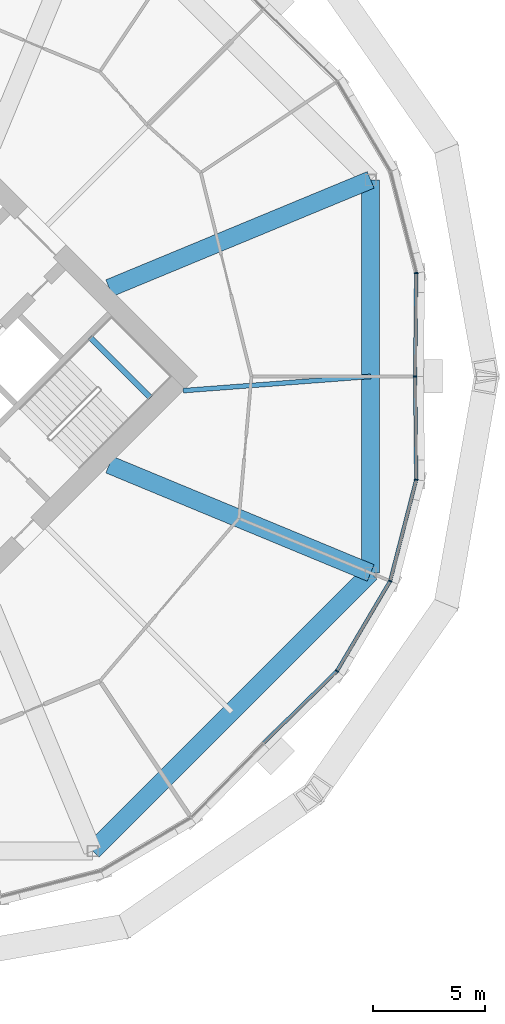
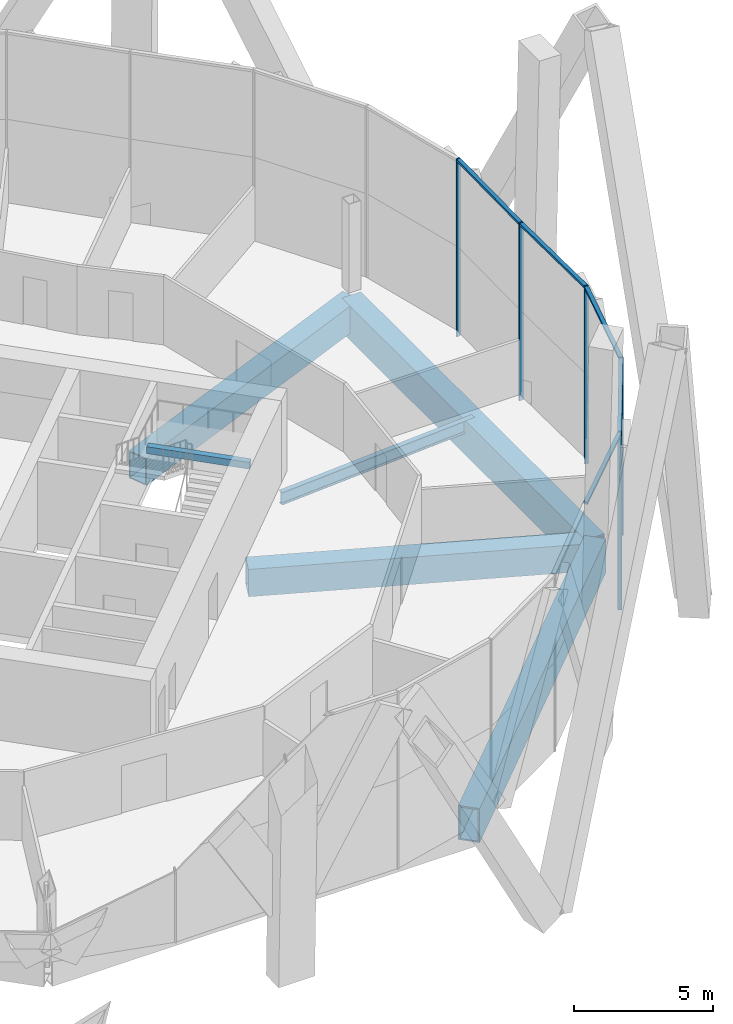
# One storey, part 13 of 31: 10 members, 6 beams, 2 elements without a shape of their own.
"""IFC4 building model written with IfcOpenShell, lengths in metres."""

from ifc_helpers import new_model, si_unit, direction, frame, origin, origin_2d, place, context, subcontext, project, spatial, rectangle, hollow_rectangle, i_section, extrude, material, material_profile, profile_set, type_object, element, aggregate, save


model = new_model("IFC4")

# Units and contexts
model_context = context("Model", 3, precision=1e-05, world=origin(), true_north=direction((0.0, 1.0)))
body_context = subcontext(model_context, "Body", "Model", "MODEL_VIEW")
ifc_project = project(units=[si_unit("LENGTHUNIT", "METRE"), si_unit("AREAUNIT", "SQUARE_METRE"), si_unit("VOLUMEUNIT", "CUBIC_METRE"), si_unit("PLANEANGLEUNIT", "RADIAN"), si_unit("MASSUNIT", "GRAM", prefix="KILO")], contexts=[model_context])

# Site, building, storey
site_placement = place(None, origin())
site = spatial("IfcSite", under=ifc_project, at=site_placement, CompositionType="ELEMENT")
building_placement = place(site_placement, origin())
building = spatial("IfcBuilding", under=site, at=building_placement, Name="Ogive Gate Towers", CompositionType="ELEMENT")
storey_placement = place(building_placement, frame((0.0, 0.0, 55.800048828125)))
storey = spatial("IfcBuildingStorey", under=building, at=storey_placement, Name="L12", CompositionType="ELEMENT", Elevation=55.800048828125)

# Beams
ifc_material_1 = material(Name="Steel SM460", Category="steel")
ifc_material_profile_1 = material_profile(ifc_material_1, hollow_rectangle(XDim=0.800048828125, YDim=1.5, WallThickness=0.06005859375, at=origin_2d()), Name="BX 1500x800x60")
ifc_profile_set_1 = profile_set([ifc_material_profile_1], Name="Steel SM460")
beam_type_1 = type_object("IfcBeamType", Name="Edge girder BX 1500x800x60", PredefinedType="BEAM", material=ifc_profile_set_1)
for number, where, z_axis, x_axis, name in (
    (1, (44.763427734375, -21.15673828125, -1.050048828125), (0.707106781187, 0.707106781187, 0.0), (-0.707106781187, 0.707106781187, 0.0), "T2/L12/SBM019"),
    (2, (57.15673828125, -8.763427734375, -1.050048828125), (0.0, 1.0, 0.0), (-1.0, 0.0, 0.0), "T2/L12/SBM020"),
):
    element("IfcBeam", number, at=place(storey_placement, frame(where, z_axis=z_axis, x_axis=x_axis)), inside=storey, type_object=beam_type_1, Name=name, PredefinedType="BEAM", context=body_context, shape_type="SweptSolid", body=[
        extrude(hollow_rectangle(XDim=0.800048828125, YDim=1.5, WallThickness=0.06005859375, at=origin_2d()), origin(), (0.0, 0.0, 1.0), 17.52685546875),
    ])
ifc_material_2 = material(Name="Concrete C40/50", Category="concrete")
ifc_material_profile_2 = material_profile(ifc_material_2, rectangle(XDim=0.25, YDim=0.300048828125, at=origin_2d()), Name="RC 250x300")
ifc_profile_set_2 = profile_set([ifc_material_profile_2], Name="Concrete C40/50")
beam_type_2 = type_object("IfcBeamType", Name="Landing bearer RC 250x300", PredefinedType="BEAM", material=ifc_profile_set_2)
beam_1_placement = place(storey_placement, frame((47.349609375, -0.9541015625, 1.599853515625), z_axis=(-0.707106781187, 0.707106781187, 0.0), x_axis=(-0.707106781187, -0.707106781187, 0.0)))
element("IfcBeam", 3, at=beam_1_placement, inside=storey, type_object=beam_type_2, Name="T2 L12 stair 2 landing bearer 1", PredefinedType="BEAM", context=body_context, shape_type="SweptSolid", body=[
    extrude(rectangle(XDim=0.25, YDim=0.300048828125, at=origin_2d()), origin(), (0.0, 0.0, 1.0), 3.824951171875),
])
ifc_material_3 = material(Name="Steel SM355", Category="steel")
ifc_material_profile_3 = material_profile(ifc_material_3, i_section(OverallWidth=0.2099609375, OverallDepth=0.550048828125, WebThickness=0.010986328125, FlangeThickness=0.01708984375, FilletRadius=0.02392578125, at=origin_2d()), Name="IPE 550")
ifc_profile_set_3 = profile_set([ifc_material_profile_3], Name="Steel SM355")
beam_type_3 = type_object("IfcBeamType", Name="Radial floor beam IPE 550", PredefinedType="BEAM", material=ifc_profile_set_3)
beam_2_placement = place(storey_placement, frame((48.798583984375, -0.636474609375, -0.574951171875), z_axis=(0.997113127526, 0.075930303007, 0.0), x_axis=(-0.075930303007, 0.997113127526, 0.0)))
element("IfcBeam", 4, at=beam_2_placement, inside=storey, type_object=beam_type_3, Name="T2/L12/SBM008", PredefinedType="BEAM", context=body_context, shape_type="SweptSolid", body=[
    extrude(i_section(OverallWidth=0.2099609375, OverallDepth=0.550048828125, WebThickness=0.010986328125, FlangeThickness=0.01708984375, FilletRadius=0.02392578125, at=origin_2d()), origin(), (0.0, 0.0, 1.0), 8.38232421875),
])

# Curtain wall, members
ifc_material_4 = material(Name="Pale metal aluminium", Category="aluminium")
curtain_wall_type = type_object("IfcCurtainWallType", Name="Tower unitised wall, low zone", PredefinedType="NOTDEFINED", material=ifc_material_4)
curtain_wall_1_placement = place(storey_placement, origin())
curtain_wall_1 = element("IfcCurtainWall", 5, at=curtain_wall_1_placement, inside=storey, type_object=curtain_wall_type, Name="CW1 T2 ECW01", PredefinedType="NOTDEFINED")
ifc_material_profile_4 = material_profile(ifc_material_4, rectangle(XDim=0.159912109375, YDim=0.06005859375, at=origin_2d()), Name="60 x 160 aluminium box")
ifc_profile_set_4 = profile_set([ifc_material_profile_4], Name="Pale metal aluminium")
member_type_1 = type_object("IfcMemberType", Name="Tower unitised wall, low zone mullion 60 x 160", PredefinedType="MULLION", material=ifc_profile_set_4)
member_1_placement = place(storey_placement, frame((59.139892578125, 0.000244140625, -0.300048828125), z_axis=(0.0, 0.0, 1.0), x_axis=(0.999947161375, -0.010279808233, 0.0)))
member_1 = element("IfcMember", 6, at=member_1_placement, type_object=member_type_1, Name="CW1 mullion", PredefinedType="MULLION", context=body_context, shape_type="SweptSolid", body=[
    extrude(rectangle(XDim=0.159912109375, YDim=0.06005859375, at=origin_2d()), origin(), (0.0, 0.0, 1.0), 7.800048828125),
])
member_2_placement = place(storey_placement, frame((59.1875, 4.606201171875, -0.300048828125), z_axis=(0.0, 0.0, 1.0), x_axis=(0.992727957326, 0.120379411626, 0.0)))
member_2 = element("IfcMember", 7, at=member_2_placement, type_object=member_type_1, Name="CW1 mullion", PredefinedType="MULLION", context=body_context, shape_type="SweptSolid", body=[
    extrude(rectangle(XDim=0.159912109375, YDim=0.06005859375, at=origin_2d()), origin(), (0.0, 0.0, 1.0), 7.800048828125),
])

curtain_wall_2_placement = place(storey_placement, origin())
curtain_wall_2 = element("IfcCurtainWall", 8, at=curtain_wall_2_placement, inside=storey, type_object=curtain_wall_type, Name="CW1 T2 ECW08", PredefinedType="NOTDEFINED")
member_3_placement = place(storey_placement, frame((55.653076171875, -13.13916015625, -0.300048828125), z_axis=(0.0, 0.0, 1.0), x_axis=(0.787085768775, -0.616843572223, 0.0)))
member_3 = element("IfcMember", 9, at=member_3_placement, type_object=member_type_1, Name="CW1 mullion", PredefinedType="MULLION", context=body_context, shape_type="SweptSolid", body=[
    extrude(rectangle(XDim=0.159912109375, YDim=0.06005859375, at=origin_2d()), origin(), (0.0, 0.0, 1.0), 7.800048828125),
])
member_4_placement = place(storey_placement, frame((58.026123046875, -9.12353515625, -0.300048828125), z_axis=(0.0, 0.0, 1.0), x_axis=(0.923879532511, -0.382683432365, 0.0)))
member_4 = element("IfcMember", 10, at=member_4_placement, type_object=member_type_1, Name="CW1 mullion", PredefinedType="MULLION", context=body_context, shape_type="SweptSolid", body=[
    extrude(rectangle(XDim=0.159912109375, YDim=0.06005859375, at=origin_2d()), origin(), (0.0, 0.0, 1.0), 7.800048828125),
])
member_5_placement = place(storey_placement, frame((59.1875, -4.606201171875, -0.300048828125), z_axis=(0.0, 0.0, 1.0), x_axis=(0.992727957326, -0.120379411626, 0.0)))
member_5 = element("IfcMember", 11, at=member_5_placement, type_object=member_type_1, Name="CW1 mullion", PredefinedType="MULLION", context=body_context, shape_type="SweptSolid", body=[
    extrude(rectangle(XDim=0.159912109375, YDim=0.06005859375, at=origin_2d()), origin(), (0.0, 0.0, 1.0), 7.800048828125),
])

# Member
ifc_material_profile_5 = material_profile(ifc_material_4, rectangle(XDim=0.159912109375, YDim=0.10009765625, at=origin_2d()), Name="100 x 160 aluminium box")
ifc_profile_set_5 = profile_set([ifc_material_profile_5], Name="Pale metal aluminium")
member_type_2 = type_object("IfcMemberType", Name="Tower unitised wall, low zone transom 100 x 160", PredefinedType="USERDEFINED", material=ifc_profile_set_5)
member_6_placement = place(storey_placement, frame((59.140380859375, 0.0302734375, 7.449951171875), z_axis=(0.010251742504, 0.999947449507, 0.0), x_axis=(-0.999947449507, 0.010251742504, 0.0)))
member_6 = element("IfcMember", 12, at=member_6_placement, type_object=member_type_2, Name="CW1 transom", ObjectType="TRANSOM", PredefinedType="USERDEFINED", context=body_context, shape_type="SweptSolid", body=[
    extrude(rectangle(XDim=0.159912109375, YDim=0.10009765625, at=origin_2d()), origin(), (0.0, 0.0, 1.0), 4.548583984375),
])

aggregate(curtain_wall_1, [member_1, member_2, member_6])

member_7_placement = place(storey_placement, frame((52.384033203125, -16.34130859375, 7.449951171875), z_axis=(0.714342153972, 0.699796604064, 0.0), x_axis=(-0.699796604064, 0.714342153972, 0.0)))
member_7 = element("IfcMember", 13, at=member_7_placement, type_object=member_type_2, Name="CW1 transom", ObjectType="TRANSOM", PredefinedType="USERDEFINED", context=body_context, shape_type="SweptSolid", body=[
    extrude(rectangle(XDim=0.159912109375, YDim=0.10009765625, at=origin_2d()), origin(), (0.0, 0.0, 1.0), 4.548583984375),
])

member_8_placement = place(storey_placement, frame((55.666748046875, -13.115478515625, 7.449951171875), z_axis=(0.508798898164, 0.860885405398, 0.0), x_axis=(-0.860885405398, 0.508798898164, 0.0)))
member_8 = element("IfcMember", 14, at=member_8_placement, type_object=member_type_2, Name="CW1 transom", ObjectType="TRANSOM", PredefinedType="USERDEFINED", context=body_context, shape_type="SweptSolid", body=[
    extrude(rectangle(XDim=0.159912109375, YDim=0.10009765625, at=origin_2d()), origin(), (0.0, 0.0, 1.0), 4.60986328125),
])

member_9_placement = place(storey_placement, frame((58.03271484375, -9.09716796875, 7.449951171875), z_axis=(0.249022588577, 0.968497677012, 0.0), x_axis=(-0.968497677012, 0.249022588577, 0.0)))
member_9 = element("IfcMember", 15, at=member_9_placement, type_object=member_type_2, Name="CW1 transom", ObjectType="TRANSOM", PredefinedType="USERDEFINED", context=body_context, shape_type="SweptSolid", body=[
    extrude(rectangle(XDim=0.159912109375, YDim=0.10009765625, at=origin_2d()), origin(), (0.0, 0.0, 1.0), 4.60986328125),
])

member_10_placement = place(storey_placement, frame((59.18701171875, -4.57861328125, 7.449951171875), z_axis=(-0.010251742504, 0.999947449507, 0.0), x_axis=(-0.999947449507, -0.010251742504, 0.0)))
member_10 = element("IfcMember", 16, at=member_10_placement, type_object=member_type_2, Name="CW1 transom", ObjectType="TRANSOM", PredefinedType="USERDEFINED", context=body_context, shape_type="SweptSolid", body=[
    extrude(rectangle(XDim=0.159912109375, YDim=0.10009765625, at=origin_2d()), origin(), (0.0, 0.0, 1.0), 4.548583984375),
])

aggregate(curtain_wall_2, [member_3, member_7, member_4, member_8, member_5, member_9, member_10])

# Beams
ifc_material_profile_6 = material_profile(ifc_material_1, hollow_rectangle(XDim=0.800048828125, YDim=1.199951171875, WallThickness=0.050048828125, at=origin_2d()), Name="BX 1200x800x50")
ifc_profile_set_6 = profile_set([ifc_material_profile_6], Name="Steel SM460")
beam_type_4 = type_object("IfcBeamType", Name="Transfer radial beam BX 1200x800x50", PredefinedType="BEAM", material=ifc_profile_set_6)
for number, where, z_axis, x_axis, name in (
    (17, (45.5, -3.93505859375, -0.900146484375), (0.923879811284, -0.382682759347, 0.0), (0.382682759347, 0.923879811284, 0.0), "T2/L12/SBM007"),
    (18, (45.5, 3.93505859375, -0.900146484375), (0.923879811284, 0.382682759347, 0.0), (-0.382682759347, 0.923879811284, 0.0), "T2/L12/SBM009"),
):
    element("IfcBeam", number, at=place(storey_placement, frame(where, z_axis=z_axis, x_axis=x_axis)), inside=storey, type_object=beam_type_4, Name=name, PredefinedType="BEAM", context=body_context, shape_type="SweptSolid", body=[
        extrude(hollow_rectangle(XDim=0.800048828125, YDim=1.199951171875, WallThickness=0.050048828125, at=origin_2d()), origin(), (0.0, 0.0, 1.0), 12.6171875),
    ])

save(model, "model.ifc")
